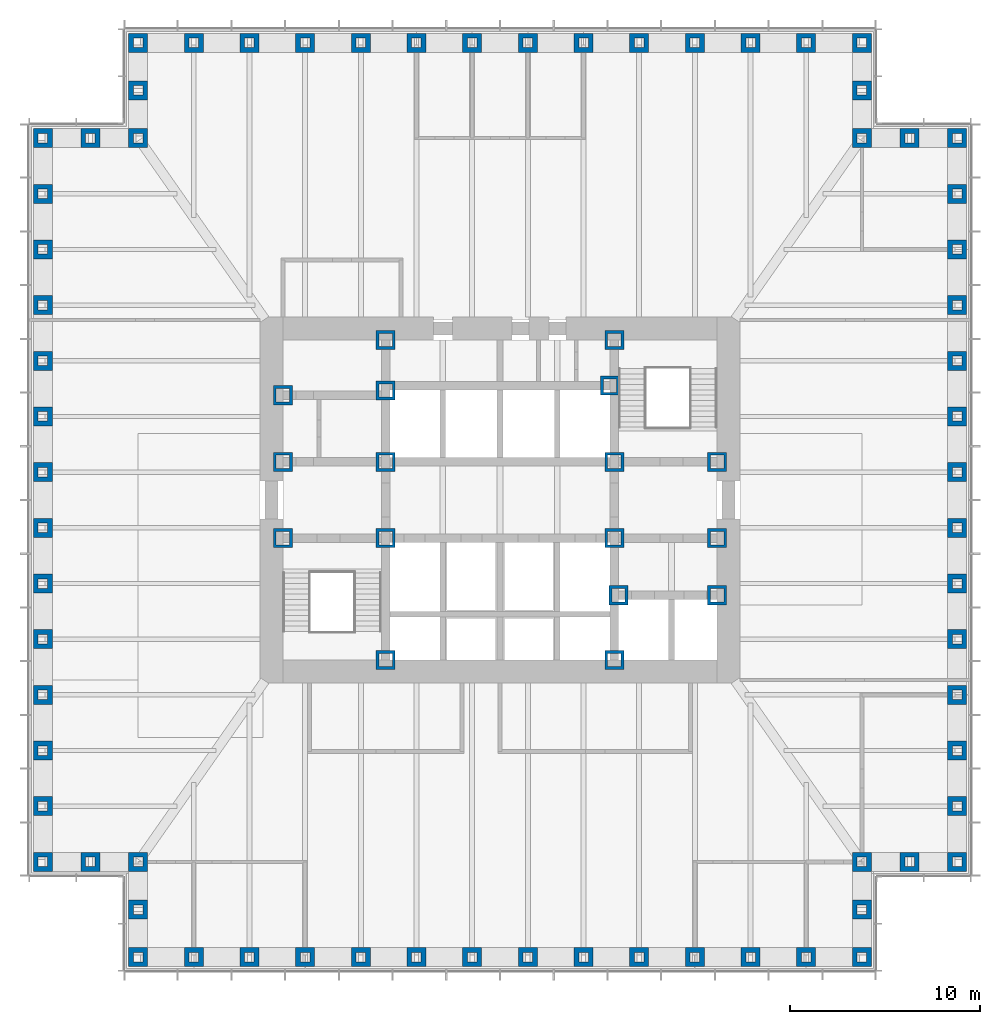
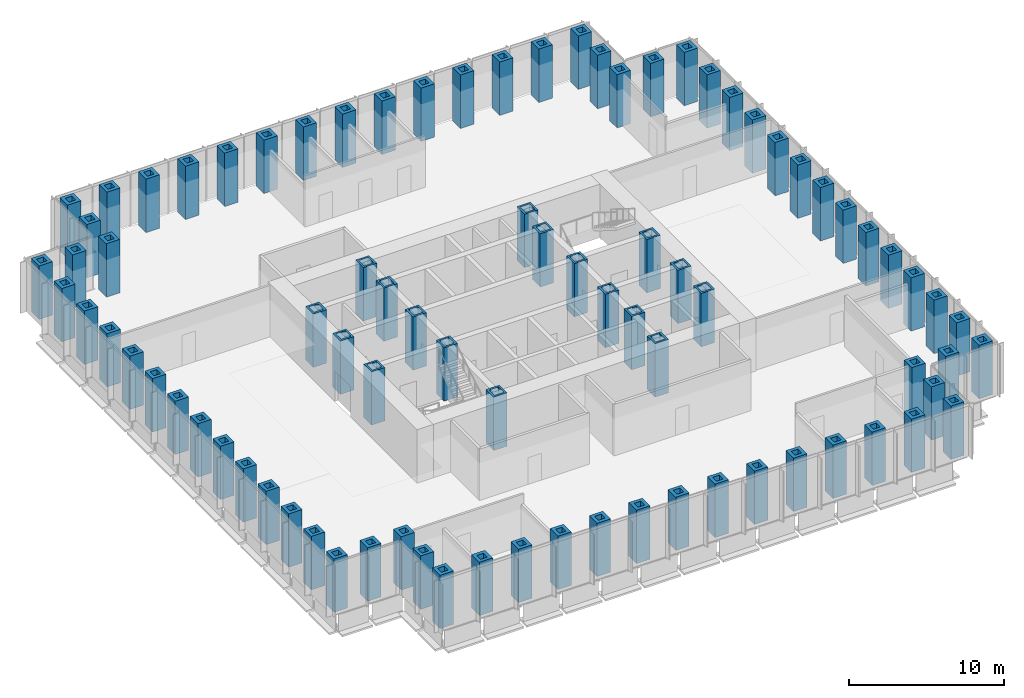
# One storey, part 1 of 16: 85 columns.
"""IFC4 building model written with IfcOpenShell, lengths in metres."""

import ifcopenshell
import ifcopenshell.guid

model = None  # the IFC model being written
_history = None  # IfcOwnerHistory: only IFC2X3 demands one
_inside = {}  # id of a spatial element -> (the spatial element, [elements in it])
_under = {}  # id of a project, library or spatial element -> (it, [spatial elements below it])
_declared = {}  # id of a project -> (the project, [libraries it declares])
_typed = {}  # id of a type object -> (the type object, [elements of that type])
_made_of = {}  # id of a material, layer set ... -> (it, [elements and type objects made of it])


def new_model(schema):
    """Start an empty IFC model of exactly this schema.

    Asked for "IFC4X3", IfcOpenShell would pick the latest addendum, in which some entities
    have other attributes; the version numbers below select the first issue.
    IFC2X3 requires an IfcOwnerHistory on every rooted entity: one is made here for all.
    """
    global model, _history
    if schema == "IFC4X3":
        model = ifcopenshell.file(schema_version=(4, 3, 0, 0))
    else:
        model = ifcopenshell.file(schema=schema)
    _inside.clear()
    _under.clear()
    _declared.clear()
    _typed.clear()
    _made_of.clear()
    _history = None
    if model.schema == "IFC2X3":
        org = make("IfcOrganization", Name="unknown")
        user = make(
            "IfcPersonAndOrganization",
            ThePerson=make("IfcPerson", FamilyName="unknown"),
            TheOrganization=org,
        )
        app = make(
            "IfcApplication",
            ApplicationDeveloper=org,
            Version="unknown",
            ApplicationFullName="unknown",
            ApplicationIdentifier="unknown",
        )
        _history = make(
            "IfcOwnerHistory",
            OwningUser=user,
            OwningApplication=app,
            ChangeAction="ADDED",
            CreationDate=0,
        )
    return model


def make(cls, **values):
    """One entity of the class cls with the attributes given. An attribute that is None is left unset."""
    return model.create_entity(
        cls, **{name: value for name, value in values.items() if value is not None}
    )


def rooted(cls, **values):
    """An entity with a GlobalId (a new one), such as an element, a storey or a relation."""
    return make(cls, GlobalId=ifcopenshell.guid.new(), OwnerHistory=_history, **values)


def si_unit(unit_type, name, prefix=None):
    """IfcSIUnit, for example si_unit("LENGTHUNIT", "METRE", prefix="MILLI")."""
    return make("IfcSIUnit", UnitType=unit_type, Prefix=prefix, Name=name)


def assignment(units):
    """IfcUnitAssignment: the units of a project."""
    return None if units is None else make("IfcUnitAssignment", Units=units)


def point(xyz):
    """IfcCartesianPoint."""
    return None if xyz is None else make("IfcCartesianPoint", Coordinates=xyz)


def direction(xyz):
    """IfcDirection."""
    return None if xyz is None else make("IfcDirection", DirectionRatios=xyz)


def frame(location, z_axis=None, x_axis=None):
    """IfcAxis2Placement3D, a coordinate frame: its origin and axes. An axis left out is left unset."""
    return make(
        "IfcAxis2Placement3D",
        Location=point(location),
        Axis=direction(z_axis),
        RefDirection=direction(x_axis),
    )


def frame_2d(location, x_axis=None):
    """IfcAxis2Placement2D, a coordinate frame in the plane: its origin and x axis."""
    return make(
        "IfcAxis2Placement2D", Location=point(location), RefDirection=direction(x_axis)
    )


def origin():
    """The frame at (0, 0, 0) with its axes left unset."""
    return frame((0.0, 0.0, 0.0))


def origin_2d():
    """The frame at (0, 0) in the plane with its x axis left unset."""
    return frame_2d((0.0, 0.0))


def place(relative_to, where):
    """IfcLocalPlacement: puts the frame where relative to a parent placement (None: the world)."""
    return make(
        "IfcLocalPlacement", PlacementRelTo=relative_to, RelativePlacement=where
    )


def context(
    kind, dimensions, precision=None, world=None, true_north=None, identifier=None
):
    """IfcGeometricRepresentationContext, for example the 3D "Model" context."""
    return make(
        "IfcGeometricRepresentationContext",
        ContextIdentifier=identifier,
        ContextType=kind,
        CoordinateSpaceDimension=dimensions,
        Precision=precision,
        WorldCoordinateSystem=world,
        TrueNorth=true_north,
    )


def subcontext(parent, identifier, kind, view, scale=None):
    """IfcGeometricRepresentationSubContext, for example "Body" below "Model"."""
    return make(
        "IfcGeometricRepresentationSubContext",
        ContextIdentifier=identifier,
        ContextType=kind,
        ParentContext=parent,
        TargetScale=scale,
        TargetView=view,
    )


def project(units=None, contexts=None):
    """IfcProject with its units and contexts."""
    return rooted(
        "IfcProject",
        Name="project",
        RepresentationContexts=contexts,
        UnitsInContext=assignment(units),
    )


def spatial(cls, under=None, at=None, **own):
    """A site, building, storey or space (cls), placed at a placement, below another one or the project."""
    s = rooted(cls, ObjectPlacement=at, **own)
    if under is not None:
        _under.setdefault(under.id(), (under, []))[1].append(s)
    return s


def profile(cls, at=None, kind="AREA", **sizes):
    """A parametric profile (cls). Its sizes go by their IFC names, for example OverallWidth=200.0."""
    return make(cls, ProfileType=kind, Position=at, **sizes)


def hollow_rectangle(**sizes):
    """IfcRectangleHollowProfileDef."""
    return profile("IfcRectangleHollowProfileDef", **sizes)


def extrude(swept, where, along, depth):
    """IfcExtrudedAreaSolid: the profile swept, set in the frame where, extruded along a direction by depth."""
    return make(
        "IfcExtrudedAreaSolid",
        SweptArea=swept,
        Position=where,
        ExtrudedDirection=direction(along),
        Depth=depth,
    )


def shape(context_of_items, identifier, shape_type, items):
    """IfcShapeRepresentation: the items that make up one representation, for example the "Body"."""
    return make(
        "IfcShapeRepresentation",
        ContextOfItems=context_of_items,
        RepresentationIdentifier=identifier,
        RepresentationType=shape_type,
        Items=items,
    )


def material(Name=None, Category=None):
    """IfcMaterial."""
    return make("IfcMaterial", Name=Name, Category=Category)


def material_profile(
    of_material, cross_section, Name=None, Category=None, Priority=None
):
    """IfcMaterialProfile: a cross section and its material."""
    return make(
        "IfcMaterialProfile",
        Name=Name,
        Material=of_material,
        Profile=cross_section,
        Priority=Priority,
        Category=Category,
    )


def profile_set(profiles, Name=None, composite=None):
    """IfcMaterialProfileSet."""
    return make(
        "IfcMaterialProfileSet",
        Name=Name,
        MaterialProfiles=profiles,
        CompositeProfile=composite,
    )


def made_of(thing, what):
    """Note that an element or type object is made of a material, layer set ...; save() writes the relation."""
    if what is not None:
        _made_of.setdefault(what.id(), (what, []))[1].append(thing)
    return thing


def type_object(cls, material=None, **own):
    """A type object (cls), such as IfcWallType, which elements share."""
    return made_of(rooted(cls, **own), material)


def element(
    cls,
    number,
    at=None,
    inside=None,
    cuts=None,
    type_object=None,
    material=None,
    context=None,
    identifier="Body",
    shape_type=None,
    held_by="IfcProductDefinitionShape",
    body=None,
    shapes=None,
    **own,
):
    """One element of the class cls, such as IfcWall. Its Tag is "e" and its number.

    at: its placement. inside: the storey or other place that contains it. cuts: it is an
    opening in that element (IfcRelVoidsElement). A single representation is given by context,
    identifier, shape_type and body (its items); several are given by shapes. held_by: the class
    of the entity that holds the representations. save() writes the other relations.
    """
    e = rooted(cls, Tag="e%d" % number, ObjectPlacement=at, **own)
    if body is not None:
        shapes = [shape(context, identifier, shape_type, body)]
    if shapes is not None:
        e.Representation = make(held_by, Representations=shapes)
    if inside is not None:
        _inside.setdefault(inside.id(), (inside, []))[1].append(e)
    if cuts is not None:
        rooted(
            "IfcRelVoidsElement", RelatingBuildingElement=cuts, RelatedOpeningElement=e
        )
    if type_object is not None:
        _typed.setdefault(type_object.id(), (type_object, []))[1].append(e)
    return made_of(e, material)


def aggregate(whole, parts):
    """IfcRelAggregates: a whole, such as a stair, and the parts it consists of."""
    return rooted("IfcRelAggregates", RelatingObject=whole, RelatedObjects=parts)


def save(model, path):
    """Write the relations noted so far, then the file.

    IfcRelAggregates (storeys below a building ...), IfcRelContainedInSpatialStructure (elements
    in a storey), IfcRelDefinesByType, IfcRelAssociatesMaterial and IfcRelDeclares: one each for
    every whole, place, type object, material and project.
    """
    for whole, parts in _under.values():
        aggregate(whole, parts)
    for where, things in _inside.values():
        rooted(
            "IfcRelContainedInSpatialStructure",
            RelatedElements=things,
            RelatingStructure=where,
        )
    for kind, things in _typed.values():
        rooted("IfcRelDefinesByType", RelatedObjects=things, RelatingType=kind)
    for what, things in _made_of.values():
        rooted("IfcRelAssociatesMaterial", RelatedObjects=things, RelatingMaterial=what)
    for by, libraries in _declared.values():
        rooted("IfcRelDeclares", RelatingContext=by, RelatedDefinitions=libraries)
    model.write(path)


model = new_model("IFC4")

# Units and contexts
model_context = context("Model", 3, precision=1e-05, world=origin(), true_north=direction((0.0, 1.0)))
body_context = subcontext(model_context, "Body", "Model", "MODEL_VIEW")
ifc_project = project(units=[si_unit("LENGTHUNIT", "METRE"), si_unit("AREAUNIT", "SQUARE_METRE"), si_unit("VOLUMEUNIT", "CUBIC_METRE"), si_unit("PLANEANGLEUNIT", "RADIAN"), si_unit("MASSUNIT", "GRAM", prefix="KILO")], contexts=[model_context])

# Site, building, storey
site_placement = place(None, origin())
site = spatial("IfcSite", under=ifc_project, at=site_placement, CompositionType="ELEMENT")
building_placement = place(site_placement, origin())
building = spatial("IfcBuilding", under=site, at=building_placement, Name="Daluyong Arena Tower", CompositionType="ELEMENT")
storey_placement = place(building_placement, frame((0.0, 0.0, 43.300048828125)))
storey = spatial("IfcBuildingStorey", under=building, at=storey_placement, Name="L08", CompositionType="ELEMENT", Elevation=43.300048828125)

# Columns
ifc_material_1 = material(Name="Steel ASTM A588 Grade 50", Category="steel")
ifc_material_profile_1 = material_profile(ifc_material_1, hollow_rectangle(XDim=1.0, YDim=1.0, WallThickness=0.15, at=origin_2d()))
ifc_profile_set_1 = profile_set([ifc_material_profile_1], Name="Steel ASTM A588 Grade 50")
column_type_1 = type_object("IfcColumnType", Name="Core boundary column BX1000X150", PredefinedType="COLUMN", material=ifc_profile_set_1)
for number, where, z_axis, x_axis, name in (
    (1, (44.60009765625, 78.0, 0.0), (0.0, 0.0, 1.0), (1.0, 0.0, 0.0), "core boundary column BC1"),
    (2, (44.60009765625, 82.0, 0.0), (0.0, 0.0, 1.0), (1.0, 0.0, 0.0), "core boundary column BC1"),
    (3, (44.60009765625, 85.5, 0.0), (0.0, 0.0, 1.0), (1.0, 0.0, 0.0), "core boundary column BC1"),
    (4, (50.0, 71.60009765625, 0.0), (0.0, 0.0, 1.0), (1.0, 0.0, 0.0), "core boundary column BC1"),
    (5, (50.0, 78.0, 0.0), (0.0, 0.0, 1.0), (1.0, 0.0, 0.0), "core boundary column BC1"),
    (6, (50.0, 82.0, 0.0), (0.0, 0.0, 1.0), (1.0, 0.0, 0.0), "core boundary column BC1"),
    (7, (50.0, 85.75, 0.0), (0.0, 0.0, 1.0), (1.0, 0.0, 0.0), "core boundary column BC1"),
    (8, (50.0, 88.39990234375, 0.0), (0.0, 0.0, 1.0), (1.0, 0.0, 0.0), "core boundary column BC1"),
    (9, (61.77490234375, 86.0, 0.0), (0.0, 0.0, 1.0), (1.0, 0.0, 0.0), "core boundary column BC1"),
    (10, (62.0, 71.60009765625, 0.0), (0.0, 0.0, 1.0), (1.0, 0.0, 0.0), "core boundary column BC1"),
    (11, (62.0, 78.0, 0.0), (0.0, 0.0, 1.0), (1.0, 0.0, 0.0), "core boundary column BC1"),
    (12, (62.0, 82.0, 0.0), (0.0, 0.0, 1.0), (1.0, 0.0, 0.0), "core boundary column BC1"),
    (13, (62.0, 88.39990234375, 0.0), (0.0, 0.0, 1.0), (1.0, 0.0, 0.0), "core boundary column BC1"),
    (14, (62.22509765625, 75.0, 0.0), (0.0, 0.0, 1.0), (1.0, 0.0, 0.0), "core boundary column BC1"),
    (15, (67.39990234375, 75.0, 0.0), (0.0, 0.0, 1.0), (1.0, 0.0, 0.0), "core boundary column BC1"),
    (16, (67.39990234375, 78.0, 0.0), (0.0, 0.0, 1.0), (1.0, 0.0, 0.0), "core boundary column BC1"),
    (17, (67.39990234375, 82.0, 0.0), (0.0, 0.0, 1.0), (1.0, 0.0, 0.0), "core boundary column BC1"),
):
    element("IfcColumn", number, at=place(storey_placement, frame(where, z_axis=z_axis, x_axis=x_axis)), inside=storey, type_object=column_type_1, Name=name, PredefinedType="COLUMN", context=body_context, shape_type="SweptSolid", body=[
        extrude(hollow_rectangle(XDim=1.0, YDim=1.0, WallThickness=0.15, at=origin_2d()), origin(), (0.0, 0.0, 1.0), 4.199951171875),
    ])
ifc_material_2 = material(Name="Steel ASTM A36", Category="steel")
ifc_material_profile_2 = material_profile(ifc_material_2, hollow_rectangle(XDim=1.0, YDim=1.0, WallThickness=0.25, at=origin_2d()))
ifc_profile_set_2 = profile_set([ifc_material_profile_2], Name="Steel ASTM A36")
column_type_2 = type_object("IfcColumnType", Name="Tube column BX1000X250 BX1000X250", PredefinedType="COLUMN", material=ifc_profile_set_2)
for number, where, z_axis, x_axis, name in (
    (18, (37.0, 56.0, 0.0), (0.0, 0.0, 1.0), (1.0, 0.0, 0.0), "tube column bx1000x250 TC2"),
    (19, (39.923095703125, 56.0, 0.0), (0.0, 0.0, 1.0), (1.0, 0.0, 0.0), "tube column bx1000x250 TC2"),
    (20, (42.84619140625, 56.0, 0.0), (0.0, 0.0, 1.0), (1.0, 0.0, 0.0), "tube column bx1000x250 TC2"),
    (21, (45.769287109375, 56.0, 0.0), (0.0, 0.0, 1.0), (1.0, 0.0, 0.0), "tube column bx1000x250 TC2"),
    (22, (48.6923828125, 56.0, 0.0), (0.0, 0.0, 1.0), (1.0, 0.0, 0.0), "tube column bx1000x250 TC2"),
    (23, (51.615478515625, 56.0, 0.0), (0.0, 0.0, 1.0), (1.0, 0.0, 0.0), "tube column bx1000x250 TC2"),
    (24, (54.53857421875, 56.0, 0.0), (0.0, 0.0, 1.0), (1.0, 0.0, 0.0), "tube column bx1000x250 TC2"),
    (25, (57.46142578125, 56.0, 0.0), (0.0, 0.0, 1.0), (1.0, 0.0, 0.0), "tube column bx1000x250 TC2"),
    (26, (60.384521484375, 56.0, 0.0), (0.0, 0.0, 1.0), (1.0, 0.0, 0.0), "tube column bx1000x250 TC2"),
    (27, (63.3076171875, 56.0, 0.0), (0.0, 0.0, 1.0), (1.0, 0.0, 0.0), "tube column bx1000x250 TC2"),
    (28, (66.230712890625, 56.0, 0.0), (0.0, 0.0, 1.0), (1.0, 0.0, 0.0), "tube column bx1000x250 TC2"),
    (29, (69.15380859375, 56.0, 0.0), (0.0, 0.0, 1.0), (1.0, 0.0, 0.0), "tube column bx1000x250 TC2"),
    (30, (72.076904296875, 56.0, 0.0), (0.0, 0.0, 1.0), (1.0, 0.0, 0.0), "tube column bx1000x250 TC2"),
    (31, (75.0, 56.0, 0.0), (0.0, 0.0, 1.0), (0.0, 1.0, 0.0), "tube column bx1000x250 TC2"),
    (32, (75.0, 58.5, 0.0), (0.0, 0.0, 1.0), (0.0, 1.0, 0.0), "tube column bx1000x250 TC2"),
    (33, (75.0, 61.0, 0.0), (0.0, 0.0, 1.0), (1.0, 0.0, 0.0), "tube column bx1000x250 TC2"),
    (34, (77.5, 61.0, 0.0), (0.0, 0.0, 1.0), (1.0, 0.0, 0.0), "tube column bx1000x250 TC2"),
    (35, (80.0, 61.0, 0.0), (0.0, 0.0, 1.0), (0.0, 1.0, 0.0), "tube column bx1000x250 TC2"),
    (36, (80.0, 63.923095703125, 0.0), (0.0, 0.0, 1.0), (0.0, 1.0, 0.0), "tube column bx1000x250 TC2"),
    (37, (80.0, 66.84619140625, 0.0), (0.0, 0.0, 1.0), (0.0, 1.0, 0.0), "tube column bx1000x250 TC2"),
    (38, (80.0, 69.769287109375, 0.0), (0.0, 0.0, 1.0), (0.0, 1.0, 0.0), "tube column bx1000x250 TC2"),
    (39, (80.0, 72.6923828125, 0.0), (0.0, 0.0, 1.0), (0.0, 1.0, 0.0), "tube column bx1000x250 TC2"),
    (40, (80.0, 75.615478515625, 0.0), (0.0, 0.0, 1.0), (0.0, 1.0, 0.0), "tube column bx1000x250 TC2"),
    (41, (80.0, 78.53857421875, 0.0), (0.0, 0.0, 1.0), (0.0, 1.0, 0.0), "tube column bx1000x250 TC2"),
    (42, (80.0, 81.46142578125, 0.0), (0.0, 0.0, 1.0), (0.0, 1.0, 0.0), "tube column bx1000x250 TC2"),
    (43, (80.0, 84.384521484375, 0.0), (0.0, 0.0, 1.0), (0.0, 1.0, 0.0), "tube column bx1000x250 TC2"),
    (44, (80.0, 87.3076171875, 0.0), (0.0, 0.0, 1.0), (0.0, 1.0, 0.0), "tube column bx1000x250 TC2"),
    (45, (80.0, 90.230712890625, 0.0), (0.0, 0.0, 1.0), (0.0, 1.0, 0.0), "tube column bx1000x250 TC2"),
    (46, (80.0, 93.15380859375, 0.0), (0.0, 0.0, 1.0), (0.0, 1.0, 0.0), "tube column bx1000x250 TC2"),
    (47, (80.0, 96.076904296875, 0.0), (0.0, 0.0, 1.0), (0.0, 1.0, 0.0), "tube column bx1000x250 TC2"),
    (48, (80.0, 99.0, 0.0), (0.0, 0.0, 1.0), (1.0, 0.0, 0.0), "tube column bx1000x250 TC2"),
    (49, (77.5, 99.0, 0.0), (0.0, 0.0, 1.0), (1.0, 0.0, 0.0), "tube column bx1000x250 TC2"),
    (50, (75.0, 99.0, 0.0), (0.0, 0.0, 1.0), (0.0, 1.0, 0.0), "tube column bx1000x250 TC2"),
    (51, (75.0, 101.5, 0.0), (0.0, 0.0, 1.0), (0.0, 1.0, 0.0), "tube column bx1000x250 TC2"),
    (52, (75.0, 104.0, 0.0), (0.0, 0.0, 1.0), (1.0, 0.0, 0.0), "tube column bx1000x250 TC2"),
    (53, (72.076904296875, 104.0, 0.0), (0.0, 0.0, 1.0), (1.0, 0.0, 0.0), "tube column bx1000x250 TC2"),
    (54, (69.15380859375, 104.0, 0.0), (0.0, 0.0, 1.0), (1.0, 0.0, 0.0), "tube column bx1000x250 TC2"),
    (55, (66.230712890625, 104.0, 0.0), (0.0, 0.0, 1.0), (1.0, 0.0, 0.0), "tube column bx1000x250 TC2"),
    (56, (63.3076171875, 104.0, 0.0), (0.0, 0.0, 1.0), (1.0, 0.0, 0.0), "tube column bx1000x250 TC2"),
    (57, (60.384521484375, 104.0, 0.0), (0.0, 0.0, 1.0), (1.0, 0.0, 0.0), "tube column bx1000x250 TC2"),
    (58, (57.46142578125, 104.0, 0.0), (0.0, 0.0, 1.0), (1.0, 0.0, 0.0), "tube column bx1000x250 TC2"),
    (59, (54.53857421875, 104.0, 0.0), (0.0, 0.0, 1.0), (1.0, 0.0, 0.0), "tube column bx1000x250 TC2"),
    (60, (51.615478515625, 104.0, 0.0), (0.0, 0.0, 1.0), (1.0, 0.0, 0.0), "tube column bx1000x250 TC2"),
    (61, (48.6923828125, 104.0, 0.0), (0.0, 0.0, 1.0), (1.0, 0.0, 0.0), "tube column bx1000x250 TC2"),
    (62, (45.769287109375, 104.0, 0.0), (0.0, 0.0, 1.0), (1.0, 0.0, 0.0), "tube column bx1000x250 TC2"),
    (63, (42.84619140625, 104.0, 0.0), (0.0, 0.0, 1.0), (1.0, 0.0, 0.0), "tube column bx1000x250 TC2"),
    (64, (39.923095703125, 104.0, 0.0), (0.0, 0.0, 1.0), (1.0, 0.0, 0.0), "tube column bx1000x250 TC2"),
    (65, (37.0, 104.0, 0.0), (0.0, 0.0, 1.0), (0.0, 1.0, 0.0), "tube column bx1000x250 TC2"),
    (66, (37.0, 101.5, 0.0), (0.0, 0.0, 1.0), (0.0, 1.0, 0.0), "tube column bx1000x250 TC2"),
    (67, (37.0, 99.0, 0.0), (0.0, 0.0, 1.0), (1.0, 0.0, 0.0), "tube column bx1000x250 TC2"),
    (68, (34.5, 99.0, 0.0), (0.0, 0.0, 1.0), (1.0, 0.0, 0.0), "tube column bx1000x250 TC2"),
    (69, (32.0, 99.0, 0.0), (0.0, 0.0, 1.0), (0.0, 1.0, 0.0), "tube column bx1000x250 TC2"),
    (70, (32.0, 96.076904296875, 0.0), (0.0, 0.0, 1.0), (0.0, 1.0, 0.0), "tube column bx1000x250 TC2"),
    (71, (32.0, 93.15380859375, 0.0), (0.0, 0.0, 1.0), (0.0, 1.0, 0.0), "tube column bx1000x250 TC2"),
    (72, (32.0, 90.230712890625, 0.0), (0.0, 0.0, 1.0), (0.0, 1.0, 0.0), "tube column bx1000x250 TC2"),
    (73, (32.0, 87.3076171875, 0.0), (0.0, 0.0, 1.0), (0.0, 1.0, 0.0), "tube column bx1000x250 TC2"),
    (74, (32.0, 84.384521484375, 0.0), (0.0, 0.0, 1.0), (0.0, 1.0, 0.0), "tube column bx1000x250 TC2"),
    (75, (32.0, 81.46142578125, 0.0), (0.0, 0.0, 1.0), (0.0, 1.0, 0.0), "tube column bx1000x250 TC2"),
    (76, (32.0, 78.53857421875, 0.0), (0.0, 0.0, 1.0), (0.0, 1.0, 0.0), "tube column bx1000x250 TC2"),
    (77, (32.0, 75.615478515625, 0.0), (0.0, 0.0, 1.0), (0.0, 1.0, 0.0), "tube column bx1000x250 TC2"),
    (78, (32.0, 72.6923828125, 0.0), (0.0, 0.0, 1.0), (0.0, 1.0, 0.0), "tube column bx1000x250 TC2"),
    (79, (32.0, 69.769287109375, 0.0), (0.0, 0.0, 1.0), (0.0, 1.0, 0.0), "tube column bx1000x250 TC2"),
    (80, (32.0, 66.84619140625, 0.0), (0.0, 0.0, 1.0), (0.0, 1.0, 0.0), "tube column bx1000x250 TC2"),
    (81, (32.0, 63.923095703125, 0.0), (0.0, 0.0, 1.0), (0.0, 1.0, 0.0), "tube column bx1000x250 TC2"),
    (82, (32.0, 61.0, 0.0), (0.0, 0.0, 1.0), (1.0, 0.0, 0.0), "tube column bx1000x250 TC2"),
    (83, (34.5, 61.0, 0.0), (0.0, 0.0, 1.0), (1.0, 0.0, 0.0), "tube column bx1000x250 TC2"),
    (84, (37.0, 61.0, 0.0), (0.0, 0.0, 1.0), (0.0, 1.0, 0.0), "tube column bx1000x250 TC2"),
    (85, (37.0, 58.5, 0.0), (0.0, 0.0, 1.0), (0.0, 1.0, 0.0), "tube column bx1000x250 TC2"),
):
    element("IfcColumn", number, at=place(storey_placement, frame(where, z_axis=z_axis, x_axis=x_axis)), inside=storey, type_object=column_type_2, Name=name, PredefinedType="COLUMN", context=body_context, shape_type="SweptSolid", body=[
        extrude(hollow_rectangle(XDim=1.0, YDim=1.0, WallThickness=0.25, at=origin_2d()), origin(), (0.0, 0.0, 1.0), 4.199951171875),
    ])

save(model, "model.ifc")
